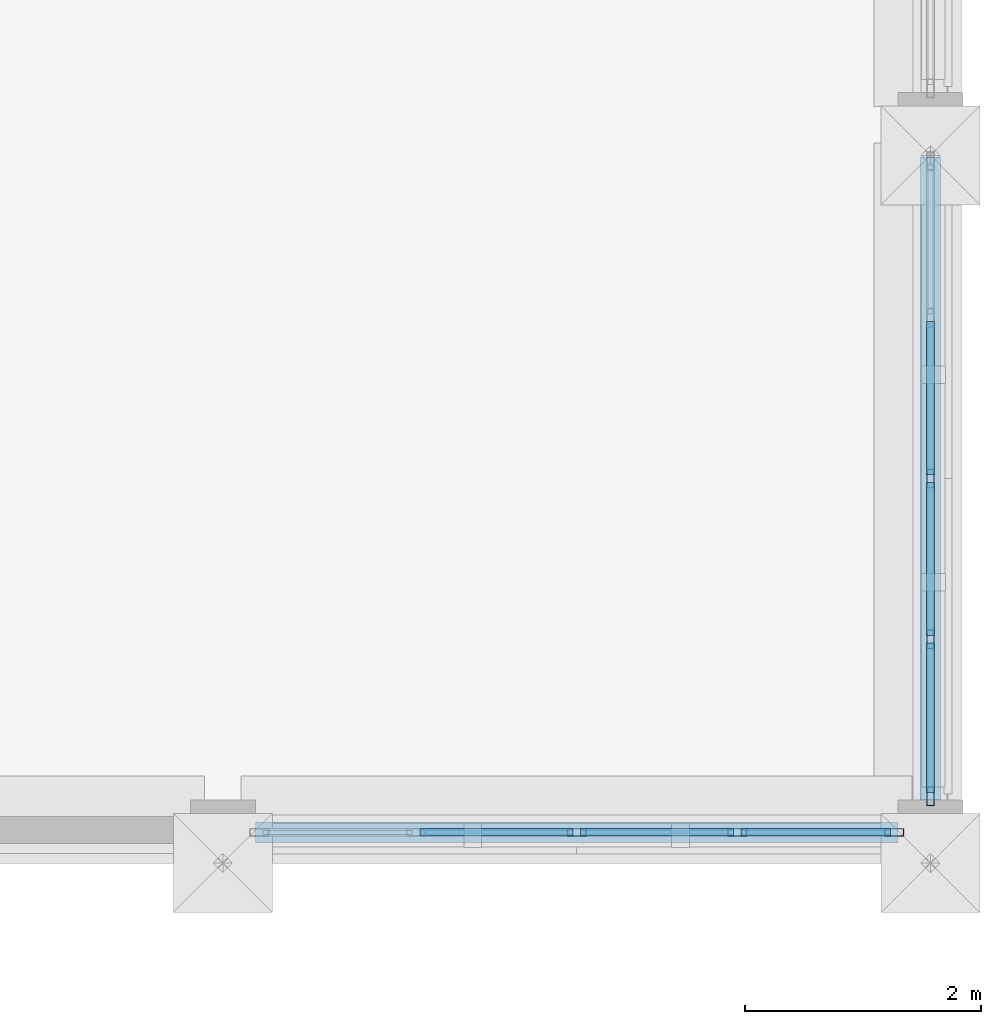
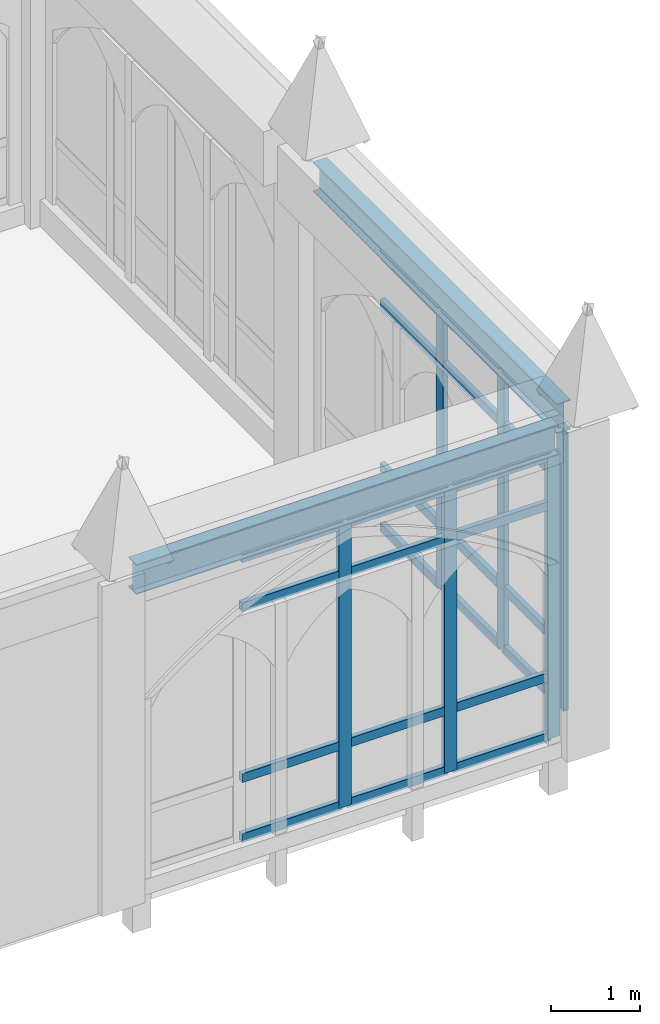
# One storey, part 54 of 108: 30 members, 2 beams, 2 elements without a shape of their own.
"""IFC4 building model written with IfcOpenShell, lengths in metres."""

from ifc_helpers import new_model, si_unit, direction, frame, origin, origin_2d, place, context, subcontext, project, spatial, hollow_rectangle, i_section, extrude, material, layer, layer_set, material_profile, profile_set, type_object, element, aggregate, save


model = new_model("IFC4")

# Units and contexts
model_context = context("Model", 3, precision=1e-05, world=origin(), true_north=direction((0.0, 1.0)))
body_context = subcontext(model_context, "Body", "Model", "MODEL_VIEW")
ifc_project = project(units=[si_unit("LENGTHUNIT", "METRE"), si_unit("AREAUNIT", "SQUARE_METRE"), si_unit("VOLUMEUNIT", "CUBIC_METRE"), si_unit("PLANEANGLEUNIT", "RADIAN"), si_unit("MASSUNIT", "GRAM", prefix="KILO")], contexts=[model_context])

# Site, building, storey
site_placement = place(None, origin())
site = spatial("IfcSite", under=ifc_project, at=site_placement, CompositionType="ELEMENT")
building_placement = place(site_placement, origin())
building = spatial("IfcBuilding", under=site, at=building_placement, Name="Cumevento Cable Car Station", CompositionType="ELEMENT")
storey_placement = place(building_placement, frame((0.0, 0.0, 13.5)))
storey = spatial("IfcBuildingStorey", under=building, at=storey_placement, Name="L04", CompositionType="ELEMENT", Elevation=13.5)

# Curtain wall, members
ifc_material_1 = material(Name="Anodised Bronze Aluminium AW-6063-T6", Category="aluminium")
ifc_layer_1 = layer(ifc_material_1, 0.214111328125)
ifc_layer_set_1 = layer_set([ifc_layer_1], Name="Anodised Bronze Aluminium AW-6063-T6")
curtain_wall_type_1 = type_object("IfcCurtainWallType", Name="Lancet Curtain Wall CW-10 1410", PredefinedType="NOTDEFINED", material=ifc_layer_set_1)
curtain_wall_1_placement = place(storey_placement, origin())
curtain_wall_1 = element("IfcCurtainWall", 1, at=curtain_wall_1_placement, inside=storey, type_object=curtain_wall_type_1, Name="Lancet Curtain Wall CW-10 L04 #185", PredefinedType="NOTDEFINED")
ifc_material_2 = material(Name="Anodised Bronze Aluminium AW-6063-T6", Category="aluminium")
ifc_material_profile_1 = material_profile(ifc_material_2, hollow_rectangle(XDim=0.06494140625, YDim=0.159912109375, WallThickness=0.00390625, at=origin_2d()), Name="ALUM65x160x4")
ifc_profile_set_1 = profile_set([ifc_material_profile_1], Name="Anodised Bronze Aluminium AW-6063-T6")
member_type_1 = type_object("IfcMemberType", Name="Curtain Mullion CWM-01 ALUM65x160x4", PredefinedType="MULLION", material=ifc_profile_set_1)
member_1_placement = place(storey_placement, frame((165.6923828125, 33.0, 0.2099609375), z_axis=(0.0, 0.0, 1.0), x_axis=(0.0, -1.0, 0.0)))
member_1 = element("IfcMember", 2, at=member_1_placement, type_object=member_type_1, Name="CW-10 mullion 1", PredefinedType="MULLION", context=body_context, shape_type="SweptSolid", body=[
    extrude(hollow_rectangle(XDim=0.06494140625, YDim=0.159912109375, WallThickness=0.00390625, at=origin_2d()), origin(), (0.0, 0.0, 1.0), 3.883056640625),
])
member_2_placement = place(storey_placement, frame((164.362548828125, 33.0, 0.2099609375), z_axis=(0.0, 0.0, 1.0), x_axis=(0.0, -1.0, 0.0)))
member_2 = element("IfcMember", 3, at=member_2_placement, type_object=member_type_1, Name="CW-10 mullion 2", PredefinedType="MULLION", context=body_context, shape_type="SweptSolid", body=[
    extrude(hollow_rectangle(XDim=0.06494140625, YDim=0.159912109375, WallThickness=0.00390625, at=origin_2d()), origin(), (0.0, 0.0, 1.0), 3.883056640625),
])
member_3_placement = place(storey_placement, frame((163.0, 33.0, 0.2099609375), z_axis=(0.0, 0.0, 1.0), x_axis=(0.0, -1.0, 0.0)))
member_3 = element("IfcMember", 4, at=member_3_placement, type_object=member_type_1, Name="CW-10 mullion 3", PredefinedType="MULLION", context=body_context, shape_type="SweptSolid", body=[
    extrude(hollow_rectangle(XDim=0.06494140625, YDim=0.159912109375, WallThickness=0.00390625, at=origin_2d()), origin(), (0.0, 0.0, 1.0), 3.883056640625),
])

ifc_material_3 = material(Name="Anodised Bronze Aluminium AW-6063-T6", Category="aluminium")
ifc_layer_2 = layer(ifc_material_3, 0.22607421875)
ifc_layer_set_2 = layer_set([ifc_layer_2], Name="Anodised Bronze Aluminium AW-6063-T6")
curtain_wall_type_2 = type_object("IfcCurtainWallType", Name="Lancet Curtain Wall CW-12 1490", PredefinedType="NOTDEFINED", material=ifc_layer_set_2)
curtain_wall_2_placement = place(storey_placement, origin())
curtain_wall_2 = element("IfcCurtainWall", 5, at=curtain_wall_2_placement, inside=storey, type_object=curtain_wall_type_2, Name="Lancet Curtain Wall CW-12 L04 #187", PredefinedType="NOTDEFINED")
member_4_placement = place(storey_placement, frame((166.0, 36.0, 0.31005859375), z_axis=(0.0, 0.0, 1.0), x_axis=(1.0, 0.0, 0.0)))
member_4 = element("IfcMember", 6, at=member_4_placement, type_object=member_type_1, Name="CW-12 mullion 3", PredefinedType="MULLION", context=body_context, shape_type="SweptSolid", body=[
    extrude(hollow_rectangle(XDim=0.06494140625, YDim=0.159912109375, WallThickness=0.00390625, at=origin_2d()), origin(), (0.0, 0.0, 1.0), 3.782958984375),
])
member_5_placement = place(storey_placement, frame((166.0, 34.637451171875, 0.31005859375), z_axis=(0.0, 0.0, 1.0), x_axis=(1.0, 0.0, 0.0)))
member_5 = element("IfcMember", 7, at=member_5_placement, type_object=member_type_1, Name="CW-12 mullion 4", PredefinedType="MULLION", context=body_context, shape_type="SweptSolid", body=[
    extrude(hollow_rectangle(XDim=0.06494140625, YDim=0.159912109375, WallThickness=0.00390625, at=origin_2d()), origin(), (0.0, 0.0, 1.0), 3.782958984375),
])
member_6_placement = place(storey_placement, frame((166.0, 33.3076171875, 0.31005859375), z_axis=(0.0, 0.0, 1.0), x_axis=(1.0, 0.0, 0.0)))
member_6 = element("IfcMember", 8, at=member_6_placement, type_object=member_type_1, Name="CW-12 mullion 5", PredefinedType="MULLION", context=body_context, shape_type="SweptSolid", body=[
    extrude(hollow_rectangle(XDim=0.06494140625, YDim=0.159912109375, WallThickness=0.00390625, at=origin_2d()), origin(), (0.0, 0.0, 1.0), 3.782958984375),
])

# Member
ifc_material_4 = material(Name="Anodised Bronze Aluminium AW-6063-T6", Category="aluminium")
ifc_material_profile_2 = material_profile(ifc_material_4, hollow_rectangle(XDim=0.06494140625, YDim=0.1201171875, WallThickness=0.00390625, at=origin_2d()), Name="ALUT65x120x4")
ifc_profile_set_2 = profile_set([ifc_material_profile_2], Name="Anodised Bronze Aluminium AW-6063-T6")
member_type_2 = type_object("IfcMemberType", Name="Curtain Transom CWT-01 ALUT65x120x4", PredefinedType="USERDEFINED", material=ifc_profile_set_2)
member_7_placement = place(storey_placement, frame((165.659912109375, 33.0, 0.242431640625), z_axis=(-1.0, 0.0, 0.0), x_axis=(0.0, -1.0, 0.0)))
member_7 = element("IfcMember", 9, at=member_7_placement, type_object=member_type_2, Name="CW-10 transom 1.1", ObjectType="TRANSOM", PredefinedType="USERDEFINED", context=body_context, shape_type="SweptSolid", body=[
    extrude(hollow_rectangle(XDim=0.06494140625, YDim=0.1201171875, WallThickness=0.00390625, at=origin_2d()), origin(), (0.0, 0.0, 1.0), 1.264892578125),
])

member_8_placement = place(storey_placement, frame((165.659912109375, 33.0, 1.06005859375), z_axis=(-1.0, 0.0, 0.0), x_axis=(0.0, -1.0, 0.0)))
member_8 = element("IfcMember", 10, at=member_8_placement, type_object=member_type_2, Name="CW-10 transom 1.2", ObjectType="TRANSOM", PredefinedType="USERDEFINED", context=body_context, shape_type="SweptSolid", body=[
    extrude(hollow_rectangle(XDim=0.06494140625, YDim=0.1201171875, WallThickness=0.00390625, at=origin_2d()), origin(), (0.0, 0.0, 1.0), 1.264892578125),
])

member_9_placement = place(storey_placement, frame((165.659912109375, 33.0, 3.39306640625), z_axis=(-1.0, 0.0, 0.0), x_axis=(0.0, -1.0, 0.0)))
member_9 = element("IfcMember", 11, at=member_9_placement, type_object=member_type_2, Name="CW-10 transom 1.3", ObjectType="TRANSOM", PredefinedType="USERDEFINED", context=body_context, shape_type="SweptSolid", body=[
    extrude(hollow_rectangle(XDim=0.06494140625, YDim=0.1201171875, WallThickness=0.00390625, at=origin_2d()), origin(), (0.0, 0.0, 1.0), 1.264892578125),
])

member_10_placement = place(storey_placement, frame((165.659912109375, 33.0, 4.060546875), z_axis=(-1.0, 0.0, 0.0), x_axis=(0.0, -1.0, 0.0)))
member_10 = element("IfcMember", 12, at=member_10_placement, type_object=member_type_2, Name="CW-10 transom 1.4", ObjectType="TRANSOM", PredefinedType="USERDEFINED", context=body_context, shape_type="SweptSolid", body=[
    extrude(hollow_rectangle(XDim=0.06494140625, YDim=0.1201171875, WallThickness=0.00390625, at=origin_2d()), origin(), (0.0, 0.0, 1.0), 1.264892578125),
])

member_11_placement = place(storey_placement, frame((164.330078125, 33.0, 0.242431640625), z_axis=(-1.0, 0.0, 0.0), x_axis=(0.0, -1.0, 0.0)))
member_11 = element("IfcMember", 13, at=member_11_placement, type_object=member_type_2, Name="CW-10 transom 2.1", ObjectType="TRANSOM", PredefinedType="USERDEFINED", context=body_context, shape_type="SweptSolid", body=[
    extrude(hollow_rectangle(XDim=0.06494140625, YDim=0.1201171875, WallThickness=0.00390625, at=origin_2d()), origin(), (0.0, 0.0, 1.0), 1.297607421875),
])

member_12_placement = place(storey_placement, frame((164.330078125, 33.0, 1.06005859375), z_axis=(-1.0, 0.0, 0.0), x_axis=(0.0, -1.0, 0.0)))
member_12 = element("IfcMember", 14, at=member_12_placement, type_object=member_type_2, Name="CW-10 transom 2.2", ObjectType="TRANSOM", PredefinedType="USERDEFINED", context=body_context, shape_type="SweptSolid", body=[
    extrude(hollow_rectangle(XDim=0.06494140625, YDim=0.1201171875, WallThickness=0.00390625, at=origin_2d()), origin(), (0.0, 0.0, 1.0), 1.297607421875),
])

member_13_placement = place(storey_placement, frame((164.330078125, 33.0, 3.39306640625), z_axis=(-1.0, 0.0, 0.0), x_axis=(0.0, -1.0, 0.0)))
member_13 = element("IfcMember", 15, at=member_13_placement, type_object=member_type_2, Name="CW-10 transom 2.3", ObjectType="TRANSOM", PredefinedType="USERDEFINED", context=body_context, shape_type="SweptSolid", body=[
    extrude(hollow_rectangle(XDim=0.06494140625, YDim=0.1201171875, WallThickness=0.00390625, at=origin_2d()), origin(), (0.0, 0.0, 1.0), 1.297607421875),
])

member_14_placement = place(storey_placement, frame((164.330078125, 33.0, 4.060546875), z_axis=(-1.0, 0.0, 0.0), x_axis=(0.0, -1.0, 0.0)))
member_14 = element("IfcMember", 16, at=member_14_placement, type_object=member_type_2, Name="CW-10 transom 2.4", ObjectType="TRANSOM", PredefinedType="USERDEFINED", context=body_context, shape_type="SweptSolid", body=[
    extrude(hollow_rectangle(XDim=0.06494140625, YDim=0.1201171875, WallThickness=0.00390625, at=origin_2d()), origin(), (0.0, 0.0, 1.0), 1.297607421875),
])

member_15_placement = place(storey_placement, frame((162.967529296875, 33.0, 0.242431640625), z_axis=(-1.0, 0.0, 0.0), x_axis=(0.0, -1.0, 0.0)))
member_15 = element("IfcMember", 17, at=member_15_placement, type_object=member_type_2, Name="CW-10 transom 3.1", ObjectType="TRANSOM", PredefinedType="USERDEFINED", context=body_context, shape_type="SweptSolid", body=[
    extrude(hollow_rectangle(XDim=0.06494140625, YDim=0.1201171875, WallThickness=0.00390625, at=origin_2d()), origin(), (0.0, 0.0, 1.0), 1.297607421875),
])

member_16_placement = place(storey_placement, frame((162.967529296875, 33.0, 1.06005859375), z_axis=(-1.0, 0.0, 0.0), x_axis=(0.0, -1.0, 0.0)))
member_16 = element("IfcMember", 18, at=member_16_placement, type_object=member_type_2, Name="CW-10 transom 3.2", ObjectType="TRANSOM", PredefinedType="USERDEFINED", context=body_context, shape_type="SweptSolid", body=[
    extrude(hollow_rectangle(XDim=0.06494140625, YDim=0.1201171875, WallThickness=0.00390625, at=origin_2d()), origin(), (0.0, 0.0, 1.0), 1.297607421875),
])

member_17_placement = place(storey_placement, frame((162.967529296875, 33.0, 3.39306640625), z_axis=(-1.0, 0.0, 0.0), x_axis=(0.0, -1.0, 0.0)))
member_17 = element("IfcMember", 19, at=member_17_placement, type_object=member_type_2, Name="CW-10 transom 3.3", ObjectType="TRANSOM", PredefinedType="USERDEFINED", context=body_context, shape_type="SweptSolid", body=[
    extrude(hollow_rectangle(XDim=0.06494140625, YDim=0.1201171875, WallThickness=0.00390625, at=origin_2d()), origin(), (0.0, 0.0, 1.0), 1.297607421875),
])

member_18_placement = place(storey_placement, frame((162.967529296875, 33.0, 4.060546875), z_axis=(-1.0, 0.0, 0.0), x_axis=(0.0, -1.0, 0.0)))
member_18 = element("IfcMember", 20, at=member_18_placement, type_object=member_type_2, Name="CW-10 transom 3.4", ObjectType="TRANSOM", PredefinedType="USERDEFINED", context=body_context, shape_type="SweptSolid", body=[
    extrude(hollow_rectangle(XDim=0.06494140625, YDim=0.1201171875, WallThickness=0.00390625, at=origin_2d()), origin(), (0.0, 0.0, 1.0), 1.297607421875),
])

aggregate(curtain_wall_1, [member_1, member_2, member_3, member_7, member_8, member_9, member_10, member_11, member_12, member_13, member_14, member_15, member_16, member_17, member_18])

member_19_placement = place(storey_placement, frame((166.0, 37.330078125, 0.342529296875), z_axis=(0.0, -1.0, 0.0), x_axis=(1.0, 0.0, 0.0)))
member_19 = element("IfcMember", 21, at=member_19_placement, type_object=member_type_2, Name="CW-12 transom 2.1", ObjectType="TRANSOM", PredefinedType="USERDEFINED", context=body_context, shape_type="SweptSolid", body=[
    extrude(hollow_rectangle(XDim=0.06494140625, YDim=0.1201171875, WallThickness=0.00390625, at=origin_2d()), origin(), (0.0, 0.0, 1.0), 1.297607421875),
])

member_20_placement = place(storey_placement, frame((166.0, 37.330078125, 1.159912109375), z_axis=(0.0, -1.0, 0.0), x_axis=(1.0, 0.0, 0.0)))
member_20 = element("IfcMember", 22, at=member_20_placement, type_object=member_type_2, Name="CW-12 transom 2.2", ObjectType="TRANSOM", PredefinedType="USERDEFINED", context=body_context, shape_type="SweptSolid", body=[
    extrude(hollow_rectangle(XDim=0.06494140625, YDim=0.1201171875, WallThickness=0.00390625, at=origin_2d()), origin(), (0.0, 0.0, 1.0), 1.297607421875),
])

member_21_placement = place(storey_placement, frame((166.0, 37.330078125, 3.39306640625), z_axis=(0.0, -1.0, 0.0), x_axis=(1.0, 0.0, 0.0)))
member_21 = element("IfcMember", 23, at=member_21_placement, type_object=member_type_2, Name="CW-12 transom 2.3", ObjectType="TRANSOM", PredefinedType="USERDEFINED", context=body_context, shape_type="SweptSolid", body=[
    extrude(hollow_rectangle(XDim=0.06494140625, YDim=0.1201171875, WallThickness=0.00390625, at=origin_2d()), origin(), (0.0, 0.0, 1.0), 1.297607421875),
])

member_22_placement = place(storey_placement, frame((166.0, 37.330078125, 4.060546875), z_axis=(0.0, -1.0, 0.0), x_axis=(1.0, 0.0, 0.0)))
member_22 = element("IfcMember", 24, at=member_22_placement, type_object=member_type_2, Name="CW-12 transom 2.4", ObjectType="TRANSOM", PredefinedType="USERDEFINED", context=body_context, shape_type="SweptSolid", body=[
    extrude(hollow_rectangle(XDim=0.06494140625, YDim=0.1201171875, WallThickness=0.00390625, at=origin_2d()), origin(), (0.0, 0.0, 1.0), 1.297607421875),
])

member_23_placement = place(storey_placement, frame((166.0, 35.967529296875, 0.342529296875), z_axis=(0.0, -1.0, 0.0), x_axis=(1.0, 0.0, 0.0)))
member_23 = element("IfcMember", 25, at=member_23_placement, type_object=member_type_2, Name="CW-12 transom 3.1", ObjectType="TRANSOM", PredefinedType="USERDEFINED", context=body_context, shape_type="SweptSolid", body=[
    extrude(hollow_rectangle(XDim=0.06494140625, YDim=0.1201171875, WallThickness=0.00390625, at=origin_2d()), origin(), (0.0, 0.0, 1.0), 1.297607421875),
])

member_24_placement = place(storey_placement, frame((166.0, 35.967529296875, 1.159912109375), z_axis=(0.0, -1.0, 0.0), x_axis=(1.0, 0.0, 0.0)))
member_24 = element("IfcMember", 26, at=member_24_placement, type_object=member_type_2, Name="CW-12 transom 3.2", ObjectType="TRANSOM", PredefinedType="USERDEFINED", context=body_context, shape_type="SweptSolid", body=[
    extrude(hollow_rectangle(XDim=0.06494140625, YDim=0.1201171875, WallThickness=0.00390625, at=origin_2d()), origin(), (0.0, 0.0, 1.0), 1.297607421875),
])

member_25_placement = place(storey_placement, frame((166.0, 35.967529296875, 3.39306640625), z_axis=(0.0, -1.0, 0.0), x_axis=(1.0, 0.0, 0.0)))
member_25 = element("IfcMember", 27, at=member_25_placement, type_object=member_type_2, Name="CW-12 transom 3.3", ObjectType="TRANSOM", PredefinedType="USERDEFINED", context=body_context, shape_type="SweptSolid", body=[
    extrude(hollow_rectangle(XDim=0.06494140625, YDim=0.1201171875, WallThickness=0.00390625, at=origin_2d()), origin(), (0.0, 0.0, 1.0), 1.297607421875),
])

member_26_placement = place(storey_placement, frame((166.0, 35.967529296875, 4.060546875), z_axis=(0.0, -1.0, 0.0), x_axis=(1.0, 0.0, 0.0)))
member_26 = element("IfcMember", 28, at=member_26_placement, type_object=member_type_2, Name="CW-12 transom 3.4", ObjectType="TRANSOM", PredefinedType="USERDEFINED", context=body_context, shape_type="SweptSolid", body=[
    extrude(hollow_rectangle(XDim=0.06494140625, YDim=0.1201171875, WallThickness=0.00390625, at=origin_2d()), origin(), (0.0, 0.0, 1.0), 1.297607421875),
])

member_27_placement = place(storey_placement, frame((166.0, 34.60498046875, 0.342529296875), z_axis=(0.0, -1.0, 0.0), x_axis=(1.0, 0.0, 0.0)))
member_27 = element("IfcMember", 29, at=member_27_placement, type_object=member_type_2, Name="CW-12 transom 4.1", ObjectType="TRANSOM", PredefinedType="USERDEFINED", context=body_context, shape_type="SweptSolid", body=[
    extrude(hollow_rectangle(XDim=0.06494140625, YDim=0.1201171875, WallThickness=0.00390625, at=origin_2d()), origin(), (0.0, 0.0, 1.0), 1.264892578125),
])

member_28_placement = place(storey_placement, frame((166.0, 34.60498046875, 1.159912109375), z_axis=(0.0, -1.0, 0.0), x_axis=(1.0, 0.0, 0.0)))
member_28 = element("IfcMember", 30, at=member_28_placement, type_object=member_type_2, Name="CW-12 transom 4.2", ObjectType="TRANSOM", PredefinedType="USERDEFINED", context=body_context, shape_type="SweptSolid", body=[
    extrude(hollow_rectangle(XDim=0.06494140625, YDim=0.1201171875, WallThickness=0.00390625, at=origin_2d()), origin(), (0.0, 0.0, 1.0), 1.264892578125),
])

member_29_placement = place(storey_placement, frame((166.0, 34.60498046875, 3.39306640625), z_axis=(0.0, -1.0, 0.0), x_axis=(1.0, 0.0, 0.0)))
member_29 = element("IfcMember", 31, at=member_29_placement, type_object=member_type_2, Name="CW-12 transom 4.3", ObjectType="TRANSOM", PredefinedType="USERDEFINED", context=body_context, shape_type="SweptSolid", body=[
    extrude(hollow_rectangle(XDim=0.06494140625, YDim=0.1201171875, WallThickness=0.00390625, at=origin_2d()), origin(), (0.0, 0.0, 1.0), 1.264892578125),
])

member_30_placement = place(storey_placement, frame((166.0, 34.60498046875, 4.060546875), z_axis=(0.0, -1.0, 0.0), x_axis=(1.0, 0.0, 0.0)))
member_30 = element("IfcMember", 32, at=member_30_placement, type_object=member_type_2, Name="CW-12 transom 4.4", ObjectType="TRANSOM", PredefinedType="USERDEFINED", context=body_context, shape_type="SweptSolid", body=[
    extrude(hollow_rectangle(XDim=0.06494140625, YDim=0.1201171875, WallThickness=0.00390625, at=origin_2d()), origin(), (0.0, 0.0, 1.0), 1.264892578125),
])

aggregate(curtain_wall_2, [member_4, member_5, member_6, member_19, member_20, member_21, member_22, member_23, member_24, member_25, member_26, member_27, member_28, member_29, member_30])

# Beams
ifc_material_5 = material(Name="Steel ASTM A572 Grade 50", Category="steel")
ifc_material_profile_3 = material_profile(ifc_material_5, i_section(OverallWidth=0.177978515625, OverallDepth=0.406982421875, WebThickness=0.0078125, FlangeThickness=0.0126953125, at=origin_2d()), Name="W410x60.0")
ifc_profile_set_3 = profile_set([ifc_material_profile_3], Name="Steel ASTM A572 Grade 50")
beam_type = type_object("IfcBeamType", Name="Structural Spandrel SP-01 W410x60.0", PredefinedType="SPANDREL", material=ifc_profile_set_3)
for number, where, z_axis, x_axis, name in (
    (33, (160.27490234375, 33.0, 4.29638671875), (1.0, 0.0, 0.0), (0.0, 1.0, 0.0), "Beam SP-01 L04 #1474"),
    (34, (166.0, 33.27490234375, 4.29638671875), (0.0, 1.0, 0.0), (-1.0, 0.0, 0.0), "Beam SP-01 L04 #1480"),
):
    element("IfcBeam", number, at=place(storey_placement, frame(where, z_axis=z_axis, x_axis=x_axis)), inside=storey, type_object=beam_type, Name=name, PredefinedType="SPANDREL", context=body_context, shape_type="SweptSolid", body=[
        extrude(i_section(OverallWidth=0.177978515625, OverallDepth=0.406982421875, WebThickness=0.0078125, FlangeThickness=0.0126953125, at=origin_2d()), origin(), (0.0, 0.0, 1.0), 5.4501953125),
    ])

save(model, "model.ifc")
